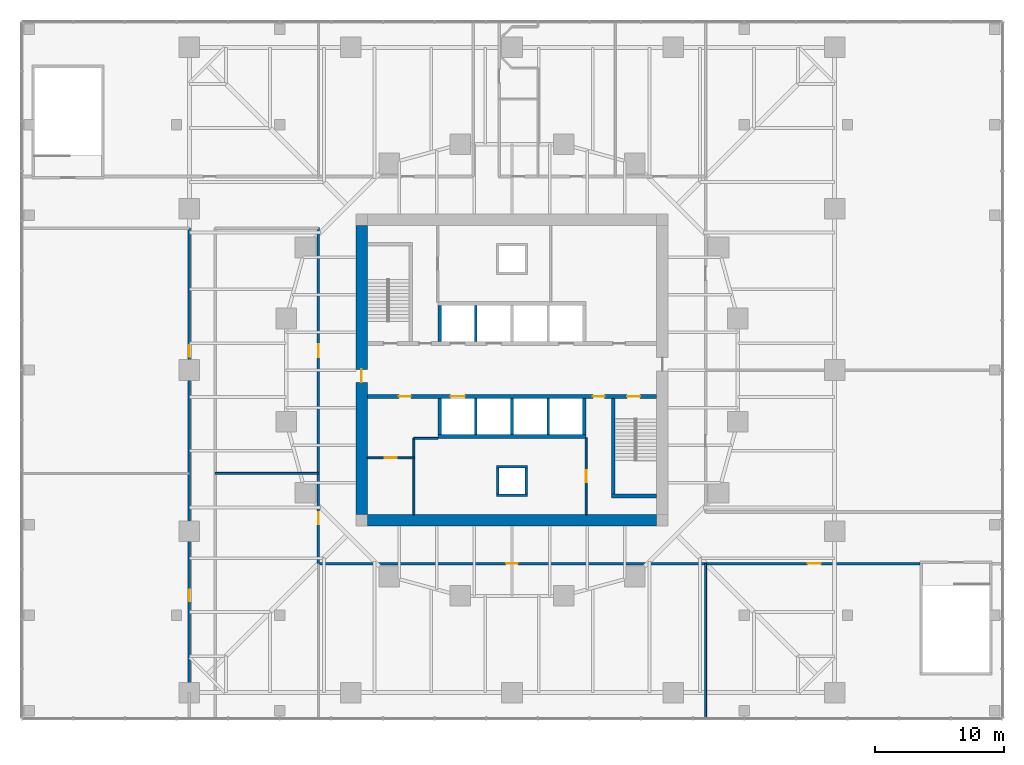
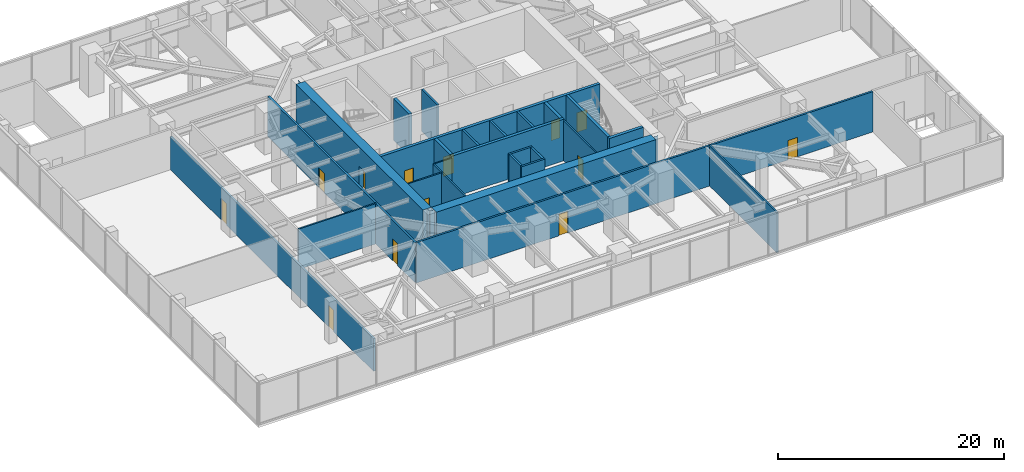
# One storey, part 11 of 14: 26 walls, 13 doors, 13 openings.
"""IFC4 building model written with IfcOpenShell, lengths in metres."""

from ifc_helpers import new_model, si_unit, direction, frame, frame_2d, origin, place, context, subcontext, project, spatial, polyline, rectangle, outline, extrude, material, layer, layer_set, type_object, element, fill, save


model = new_model("IFC4")

# Units and contexts
model_context = context("Model", 3, precision=1e-05, world=origin(), true_north=direction((0.0, 1.0)))
body_context = subcontext(model_context, "Body", "Model", "MODEL_VIEW")
ifc_project = project(units=[si_unit("LENGTHUNIT", "METRE"), si_unit("AREAUNIT", "SQUARE_METRE"), si_unit("VOLUMEUNIT", "CUBIC_METRE"), si_unit("PLANEANGLEUNIT", "RADIAN"), si_unit("MASSUNIT", "GRAM", prefix="KILO")], contexts=[model_context])

# Site, building, storey
site_placement = place(None, origin())
site = spatial("IfcSite", under=ifc_project, at=site_placement, CompositionType="ELEMENT")
building_placement = place(site_placement, origin())
building = spatial("IfcBuilding", under=site, at=building_placement, Name="Torsade Residences", CompositionType="ELEMENT")
storey_placement = place(building_placement, frame((0.0, 0.0, 10.5)))
storey = spatial("IfcBuildingStorey", under=building, at=storey_placement, Name="L02", CompositionType="ELEMENT", Elevation=10.5)

# Wall, openings, doors
ifc_material_1 = material(Name="Concrete 80 MPa", Category="concrete")
ifc_layer_1 = layer(ifc_material_1, 0.300048828125)
ifc_layer_set_1 = layer_set([ifc_layer_1], Name="Concrete 80 MPa")
wall_type_1 = type_object("IfcWallType", Name="CORE INTERNAL WALL 300", PredefinedType="SHEAR", material=ifc_layer_set_1)
wall_1_placement = place(storey_placement, frame((51.199951171875, 27.949951171875, 0.0), z_axis=(0.0, 0.0, 1.0), x_axis=(-1.0, 0.0, 0.0)))
wall_1 = element("IfcWall", 1, at=wall_1_placement, inside=storey, type_object=wall_type_1, Name="Core wall LS L02", PredefinedType="SHEAR", context=body_context, shape_type="SweptSolid", body=[
    extrude(rectangle(XDim=22.39990234375, YDim=0.300048828125, at=frame_2d((11.199951171875, 0.0))), origin(), (0.0, 0.0, 1.0), 4.5),
])
opening_1_placement = place(wall_1_placement, frame((19.0400390625, 0.0, 0.0)))
opening_1 = element("IfcOpeningElement", 2, at=opening_1_placement, cuts=wall_1, Name="Opening D06", PredefinedType="OPENING", context=body_context, shape_type="SweptSolid", body=[
    extrude(rectangle(XDim=0.919921875, YDim=2.10009765625, at=frame_2d((0.4599609375, 1.050048828125))), frame((0.0, 0.159912109375, 0.0), z_axis=(0.0, -1.0, 0.0), x_axis=(1.0, 0.0, 0.0)), (0.0, 0.0, 1.0), 0.320068359375),
])
opening_2_placement = place(wall_1_placement, frame((1.264892578125, 0.0, 0.0)))
opening_2 = element("IfcOpeningElement", 3, at=opening_2_placement, cuts=wall_1, Name="Opening D03", PredefinedType="OPENING", context=body_context, shape_type="SweptSolid", body=[
    extrude(rectangle(XDim=1.02001953125, YDim=2.10009765625, at=frame_2d((0.510009765625, 1.050048828125))), frame((0.0, 0.159912109375, 0.0), z_axis=(0.0, -1.0, 0.0), x_axis=(1.0, 0.0, 0.0)), (0.0, 0.0, 1.0), 0.320068359375),
])
opening_3_placement = place(wall_1_placement, frame((4.014892578125, 0.0, 0.0)))
opening_3 = element("IfcOpeningElement", 4, at=opening_3_placement, cuts=wall_1, Name="Opening D06", PredefinedType="OPENING", context=body_context, shape_type="SweptSolid", body=[
    extrude(rectangle(XDim=0.919921875, YDim=2.10009765625, at=frame_2d((0.4599609375, 1.050048828125))), frame((0.0, 0.159912109375, 0.0), z_axis=(0.0, -1.0, 0.0), x_axis=(1.0, 0.0, 0.0)), (0.0, 0.0, 1.0), 0.320068359375),
])
opening_4_placement = place(wall_1_placement, frame((14.85009765625, 0.0, 0.0)))
opening_4 = element("IfcOpeningElement", 5, at=opening_4_placement, cuts=wall_1, Name="Opening LD", PredefinedType="OPENING", context=body_context, shape_type="SweptSolid", body=[
    extrude(rectangle(XDim=1.10009765625, YDim=2.10009765625, at=frame_2d((0.550048828125, 1.050048828125))), frame((0.0, 0.159912109375, 0.0), z_axis=(0.0, -1.0, 0.0), x_axis=(1.0, 0.0, 0.0)), (0.0, 0.0, 1.0), 0.320068359375),
])
ifc_material_2 = material(Name="Steel-framed fire door", Category="steel")
door_type_1 = type_object("IfcDoorType", Name="FIRE DOOR 1020", OperationType="NOTDEFINED", PredefinedType="DOOR", material=ifc_material_2)
door_1_placement = place(opening_2_placement, origin())
door_1 = element("IfcDoor", 6, at=door_1_placement, inside=storey, type_object=door_type_1, Name="Exit door to fire-isolated stair ST2 L02", OperationType="SINGLE_SWING_RIGHT", OverallHeight=2.10009765625, OverallWidth=1.02001953125, PredefinedType="DOOR", context=body_context, shape_type="SweptSolid", body=[
    extrude(rectangle(XDim=1.02001953125, YDim=2.10009765625, at=frame_2d((0.510009765625, 1.050048828125))), frame((0.0, 0.02490234375, 0.0), z_axis=(0.0, -1.0, 0.0), x_axis=(1.0, 0.0, 0.0)), (0.0, 0.0, 1.0), 0.050048828125),
])
fill(opening_2, door_1)
ifc_material_3 = material(Name="Steel-framed fire door", Category="steel")
door_type_2 = type_object("IfcDoorType", Name="FIRE DOOR 920", OperationType="NOTDEFINED", PredefinedType="DOOR", material=ifc_material_3)
door_2_placement = place(opening_1_placement, origin())
door_2 = element("IfcDoor", 7, at=door_2_placement, inside=storey, type_object=door_type_2, Name="Door Lift lobby to Cleaner store", OperationType="SINGLE_SWING_LEFT", OverallHeight=2.10009765625, OverallWidth=0.919921875, PredefinedType="DOOR", context=body_context, shape_type="SweptSolid", body=[
    extrude(rectangle(XDim=0.919921875, YDim=2.10009765625, at=frame_2d((0.4599609375, 1.050048828125))), frame((0.0, 0.02490234375, 0.0), z_axis=(0.0, -1.0, 0.0), x_axis=(1.0, 0.0, 0.0)), (0.0, 0.0, 1.0), 0.050048828125),
])
fill(opening_1, door_2)
door_3_placement = place(opening_3_placement, origin())
door_3 = element("IfcDoor", 8, at=door_3_placement, inside=storey, type_object=door_type_2, Name="Door Lift lobby to Security and data store", OperationType="SINGLE_SWING_RIGHT", OverallHeight=2.10009765625, OverallWidth=0.919921875, PredefinedType="DOOR", context=body_context, shape_type="SweptSolid", body=[
    extrude(rectangle(XDim=0.919921875, YDim=2.10009765625, at=frame_2d((0.4599609375, 1.050048828125))), frame((0.0, 0.02490234375, 0.0), z_axis=(0.0, -1.0, 0.0), x_axis=(1.0, 0.0, 0.0)), (0.0, 0.0, 1.0), 0.050048828125),
])
fill(opening_3, door_3)
ifc_material_4 = material(Name="Stainless steel lift landing door", Category="steel")
door_type_3 = type_object("IfcDoorType", Name="LIFT LANDING DOOR 1100", OperationType="SLIDING_TO_LEFT", PredefinedType="DOOR", material=ifc_material_4)
door_4_placement = place(opening_4_placement, origin())
door_4 = element("IfcDoor", 9, at=door_4_placement, inside=storey, type_object=door_type_3, Name="Lift FL2 landing door L02", OperationType="SLIDING_TO_LEFT", OverallHeight=2.10009765625, OverallWidth=1.10009765625, PredefinedType="DOOR", context=body_context, shape_type="SweptSolid", body=[
    extrude(rectangle(XDim=1.10009765625, YDim=2.10009765625, at=frame_2d((0.550048828125, 1.050048828125))), frame((0.0, 0.02490234375, 0.0), z_axis=(0.0, -1.0, 0.0), x_axis=(1.0, 0.0, 0.0)), (0.0, 0.0, 1.0), 0.050048828125),
])
fill(opening_4, door_4)

# Walls
wall_2_placement = place(storey_placement, frame((45.75, 24.85009765625, 0.0), z_axis=(0.0, 0.0, 1.0), x_axis=(-1.0, 0.0, 0.0)))
element("IfcWall", 10, at=wall_2_placement, inside=storey, type_object=wall_type_1, Name="Core wall BS L02", PredefinedType="SHEAR", context=body_context, shape_type="SweptSolid", body=[
    extrude(rectangle(XDim=11.5, YDim=0.300048828125, at=frame_2d((5.75, 0.0))), origin(), (0.0, 0.0, 1.0), 4.5),
])
for number, where, z_axis, x_axis, name in (
    (11, (34.39990234375, 32.199951171875, 0.0), (0.0, 0.0, 1.0), (0.0, 1.0, 0.0), "Core wall DN0 L02"),
    (12, (45.60009765625, 27.800048828125, 0.0), (0.0, 0.0, 1.0), (0.0, -1.0, 0.0), "Core wall DS0 L02"),
    (13, (34.39990234375, 27.800048828125, 0.0), (0.0, 0.0, 1.0), (0.0, -1.0, 0.0), "Core wall DS4 L02"),
):
    element("IfcWall", number, at=place(storey_placement, frame(where, z_axis=z_axis, x_axis=x_axis)), inside=storey, type_object=wall_type_1, Name=name, PredefinedType="SHEAR", context=body_context, shape_type="SweptSolid", body=[
        extrude(rectangle(XDim=2.800048828125, YDim=0.300048828125, at=frame_2d((1.39990234375, 0.0))), origin(), (0.0, 0.0, 1.0), 4.5),
    ])
wall_3_placement = place(storey_placement, frame((47.85009765625, 27.800048828125, 0.0), z_axis=(0.0, 0.0, 1.0), x_axis=(0.0, -1.0, 0.0)))
element("IfcWall", 14, at=wall_3_placement, inside=storey, type_object=wall_type_1, Name="Core wall ST2W L02", PredefinedType="SHEAR", context=body_context, shape_type="SweptSolid", body=[
    extrude(rectangle(XDim=7.699951171875, YDim=0.300048828125, at=frame_2d((3.85009765625, 0.0))), origin(), (0.0, 0.0, 1.0), 4.5),
])
wall_4_placement = place(storey_placement, frame((51.199951171875, 20.25, 0.0), z_axis=(0.0, 0.0, 1.0), x_axis=(-1.0, 0.0, 0.0)))
element("IfcWall", 15, at=wall_4_placement, inside=storey, type_object=wall_type_1, Name="Core wall ST2S L02", PredefinedType="SHEAR", context=body_context, shape_type="SweptSolid", body=[
    extrude(rectangle(XDim=3.5, YDim=0.300048828125, at=frame_2d((1.75, 0.0))), origin(), (0.0, 0.0, 1.0), 4.5),
])
ifc_material_5 = material(Name="Concrete 80 MPa", Category="concrete")
ifc_layer_2 = layer(ifc_material_5, 0.89990234375)
ifc_layer_set_2 = layer_set([ifc_layer_2], Name="Concrete 80 MPa")
wall_type_2 = type_object("IfcWallType", Name="CORE WALL 900", PredefinedType="SHEAR", material=ifc_layer_set_2)
wall_5_placement = place(storey_placement, frame((51.199951171875, 18.35009765625, 0.0), z_axis=(0.0, 0.0, 1.0), x_axis=(-1.0, 0.0, 0.0)))
element("IfcWall", 16, at=wall_5_placement, inside=storey, type_object=wall_type_2, Name="Core wall S L02", PredefinedType="SHEAR", context=body_context, shape_type="SweptSolid", body=[
    extrude(outline(polyline([(0.0, -0.449951171875), (22.39990234375, -0.449951171875), (22.39990234375, -0.02490234375), (22.849853515625, -0.02490234375), (22.849853515625, 0.02490234375), (22.39990234375, 0.02490234375), (22.39990234375, 0.449951171875), (0.0, 0.449951171875), (0.0, 0.02490234375), (-0.449951171875, 0.02490234375), (-0.449951171875, -0.02490234375), (0.0, -0.02490234375), (0.0, -0.449951171875)])), origin(), (0.0, 0.0, 1.0), 4.5),
])

# Wall, opening, door
wall_6_placement = place(storey_placement, frame((28.35009765625, 41.199951171875, 0.0), z_axis=(0.0, 0.0, 1.0), x_axis=(0.0, -1.0, 0.0)))
wall_6 = element("IfcWall", 17, at=wall_6_placement, inside=storey, type_object=wall_type_2, Name="Core wall W L02", PredefinedType="SHEAR", context=body_context, shape_type="SweptSolid", body=[
    extrude(outline(polyline([(0.0, -0.449951171875), (22.39990234375, -0.449951171875), (22.39990234375, -0.02490234375), (22.849853515625, -0.02490234375), (22.849853515625, 0.02490234375), (22.39990234375, 0.02490234375), (22.39990234375, 0.449951171875), (0.0, 0.449951171875), (0.0, 0.02490234375), (-0.449951171875, 0.02490234375), (-0.449951171875, -0.02490234375), (0.0, -0.02490234375), (0.0, -0.449951171875)])), origin(), (0.0, 0.0, 1.0), 4.5),
])
opening_5_placement = place(wall_6_placement, frame((11.139892578125, 0.0, 0.0)))
opening_5 = element("IfcOpeningElement", 18, at=opening_5_placement, cuts=wall_6, Name="Opening D04", PredefinedType="OPENING", context=body_context, shape_type="SweptSolid", body=[
    extrude(rectangle(XDim=1.02001953125, YDim=2.39990234375, at=frame_2d((0.510009765625, 1.199951171875))), frame((0.0, 0.4599609375, 0.0), z_axis=(0.0, -1.0, 0.0), x_axis=(1.0, 0.0, 0.0)), (0.0, 0.0, 1.0), 0.919921875),
])
ifc_material_6 = material(Name="Steel-framed fire door", Category="steel")
door_type_4 = type_object("IfcDoorType", Name="LOBBY SMOKE DOOR 1020x2400", OperationType="NOTDEFINED", PredefinedType="DOOR", material=ifc_material_6)
door_5_placement = place(opening_5_placement, origin())
door_5 = element("IfcDoor", 19, at=door_5_placement, inside=storey, type_object=door_type_4, Name="Lift lobby door W L02", OperationType="SINGLE_SWING_RIGHT", OverallHeight=2.39990234375, OverallWidth=1.02001953125, PredefinedType="DOOR", context=body_context, shape_type="SweptSolid", body=[
    extrude(rectangle(XDim=1.02001953125, YDim=2.39990234375, at=frame_2d((0.510009765625, 1.199951171875))), frame((0.0, 0.02490234375, 0.0), z_axis=(0.0, -1.0, 0.0), x_axis=(1.0, 0.0, 0.0)), (0.0, 0.0, 1.0), 0.050048828125),
])
fill(opening_5, door_5)

# Wall, openings, doors
ifc_material_7 = material(Name="Plasterboard on steel stud", Category="steel")
ifc_layer_3 = layer(ifc_material_7, 0.199951171875)
ifc_layer_set_3 = layer_set([ifc_layer_3], Name="Plasterboard on steel stud")
wall_type_3 = type_object("IfcWallType", Name="CORRIDOR WALL 200", PredefinedType="PARTITIONING", material=ifc_layer_set_3)
wall_7_placement = place(storey_placement, frame((25.0, 15.0, 0.0), z_axis=(0.0, 0.0, 1.0), x_axis=(0.0, 1.0, 0.0)))
wall_7 = element("IfcWall", 20, at=wall_7_placement, inside=storey, type_object=wall_type_3, Name="Corridor wall L02", PredefinedType="PARTITIONING", context=body_context, shape_type="SweptSolid", body=[
    extrude(rectangle(XDim=26.050048828125, YDim=0.199951171875, at=frame_2d((13.02490234375, 0.0))), origin(), (0.0, 0.0, 1.0), 4.35009765625),
])
opening_6_placement = place(wall_7_placement, frame((15.989990234375, 0.0, 0.0)))
opening_6 = element("IfcOpeningElement", 21, at=opening_6_placement, cuts=wall_7, Name="Opening D03", PredefinedType="OPENING", context=body_context, shape_type="SweptSolid", body=[
    extrude(rectangle(XDim=1.02001953125, YDim=2.10009765625, at=frame_2d((0.510009765625, 1.050048828125))), frame((0.0, 0.10986328125, 0.0), z_axis=(0.0, -1.0, 0.0), x_axis=(1.0, 0.0, 0.0)), (0.0, 0.0, 1.0), 0.219970703125),
])
opening_7_placement = place(wall_7_placement, frame((3.06494140625, 0.0, 0.0)))
opening_7 = element("IfcOpeningElement", 22, at=opening_7_placement, cuts=wall_7, Name="Opening D02", PredefinedType="OPENING", context=body_context, shape_type="SweptSolid", body=[
    extrude(rectangle(XDim=0.919921875, YDim=2.340087890625, at=frame_2d((0.4599609375, 1.169921875))), frame((0.0, 0.10986328125, 0.0), z_axis=(0.0, -1.0, 0.0), x_axis=(1.0, 0.0, 0.0)), (0.0, 0.0, 1.0), 0.219970703125),
])
door_6_placement = place(opening_6_placement, origin())
door_6 = element("IfcDoor", 23, at=door_6_placement, inside=storey, type_object=door_type_1, Name="Door Amenity corridor to Residents storage", OperationType="SINGLE_SWING_RIGHT", OverallHeight=2.10009765625, OverallWidth=1.02001953125, PredefinedType="DOOR", context=body_context, shape_type="SweptSolid", body=[
    extrude(rectangle(XDim=1.02001953125, YDim=2.10009765625, at=frame_2d((0.510009765625, 1.050048828125))), frame((0.0, 0.02490234375, 0.0), z_axis=(0.0, -1.0, 0.0), x_axis=(1.0, 0.0, 0.0)), (0.0, 0.0, 1.0), 0.050048828125),
])
fill(opening_6, door_6)
ifc_material_8 = material(Name="Hollow-core timber door", Category="wood")
door_type_5 = type_object("IfcDoorType", Name="INTERNAL DOOR 920x2340", OperationType="NOTDEFINED", PredefinedType="DOOR", material=ifc_material_8)
door_7_placement = place(opening_7_placement, origin())
door_7 = element("IfcDoor", 24, at=door_7_placement, inside=storey, type_object=door_type_5, Name="Door Amenity corridor to Residents library", OperationType="SINGLE_SWING_RIGHT", OverallHeight=2.340087890625, OverallWidth=0.919921875, PredefinedType="DOOR", context=body_context, shape_type="SweptSolid", body=[
    extrude(rectangle(XDim=0.919921875, YDim=2.340087890625, at=frame_2d((0.4599609375, 1.169921875))), frame((0.0, 0.02490234375, 0.0), z_axis=(0.0, -1.0, 0.0), x_axis=(1.0, 0.0, 0.0)), (0.0, 0.0, 1.0), 0.050048828125),
])
fill(opening_7, door_7)

wall_8_placement = place(storey_placement, frame((71.60009765625, 15.0, 0.0), z_axis=(0.0, 0.0, 1.0), x_axis=(-1.0, 0.0, 0.0)))
wall_8 = element("IfcWall", 25, at=wall_8_placement, inside=storey, type_object=wall_type_3, Name="Corridor wall L02", PredefinedType="PARTITIONING", context=body_context, shape_type="SweptSolid", body=[
    extrude(rectangle(XDim=46.60009765625, YDim=0.199951171875, at=frame_2d((23.300048828125, 0.0))), origin(), (0.0, 0.0, 1.0), 4.35009765625),
])
opening_8_placement = place(wall_8_placement, frame((31.139892578125, 0.0, 0.0)))
opening_8 = element("IfcOpeningElement", 26, at=opening_8_placement, cuts=wall_8, Name="Opening D02", PredefinedType="OPENING", context=body_context, shape_type="SweptSolid", body=[
    extrude(rectangle(XDim=0.919921875, YDim=2.340087890625, at=frame_2d((0.4599609375, 1.169921875))), frame((0.0, 0.10986328125, 0.0), z_axis=(0.0, -1.0, 0.0), x_axis=(1.0, 0.0, 0.0)), (0.0, 0.0, 1.0), 0.219970703125),
])
opening_9_placement = place(wall_8_placement, frame((7.6650390625, 0.0, 0.0)))
opening_9 = element("IfcOpeningElement", 27, at=opening_9_placement, cuts=wall_8, Name="Opening D03", PredefinedType="OPENING", context=body_context, shape_type="SweptSolid", body=[
    extrude(rectangle(XDim=1.02001953125, YDim=2.10009765625, at=frame_2d((0.510009765625, 1.050048828125))), frame((0.0, 0.10986328125, 0.0), z_axis=(0.0, -1.0, 0.0), x_axis=(1.0, 0.0, 0.0)), (0.0, 0.0, 1.0), 0.219970703125),
])
door_8_placement = place(opening_9_placement, origin())
door_8 = element("IfcDoor", 28, at=door_8_placement, inside=storey, type_object=door_type_1, Name="Door Amenity corridor east to Podium plant room", OperationType="SINGLE_SWING_RIGHT", OverallHeight=2.10009765625, OverallWidth=1.02001953125, PredefinedType="DOOR", context=body_context, shape_type="SweptSolid", body=[
    extrude(rectangle(XDim=1.02001953125, YDim=2.10009765625, at=frame_2d((0.510009765625, 1.050048828125))), frame((0.0, 0.02490234375, 0.0), z_axis=(0.0, -1.0, 0.0), x_axis=(1.0, 0.0, 0.0)), (0.0, 0.0, 1.0), 0.050048828125),
])
fill(opening_9, door_8)
door_9_placement = place(opening_8_placement, origin())
door_9 = element("IfcDoor", 29, at=door_9_placement, inside=storey, type_object=door_type_5, Name="Door Amenity corridor to Co-working room", OperationType="SINGLE_SWING_LEFT", OverallHeight=2.340087890625, OverallWidth=0.919921875, PredefinedType="DOOR", context=body_context, shape_type="SweptSolid", body=[
    extrude(rectangle(XDim=0.919921875, YDim=2.340087890625, at=frame_2d((0.4599609375, 1.169921875))), frame((0.0, 0.02490234375, 0.0), z_axis=(0.0, -1.0, 0.0), x_axis=(1.0, 0.0, 0.0)), (0.0, 0.0, 1.0), 0.050048828125),
])
fill(opening_8, door_9)

wall_9_placement = place(storey_placement, frame((15.0, 5.0, 0.0), z_axis=(0.0, 0.0, 1.0), x_axis=(0.0, 1.0, 0.0)))
wall_9 = element("IfcWall", 30, at=wall_9_placement, inside=storey, type_object=wall_type_3, Name="Corridor wall L02", PredefinedType="PARTITIONING", context=body_context, shape_type="SweptSolid", body=[
    extrude(rectangle(XDim=36.0, YDim=0.199951171875, at=frame_2d((18.0, 0.0))), origin(), (0.0, 0.0, 1.0), 3.533935546875),
])
opening_10_placement = place(wall_9_placement, frame((7.06494140625, 0.0, 0.0)))
opening_10 = element("IfcOpeningElement", 31, at=opening_10_placement, cuts=wall_9, Name="Opening D02", PredefinedType="OPENING", context=body_context, shape_type="SweptSolid", body=[
    extrude(rectangle(XDim=0.919921875, YDim=2.340087890625, at=frame_2d((0.4599609375, 1.169921875))), frame((0.0, 0.10986328125, 0.0), z_axis=(0.0, -1.0, 0.0), x_axis=(1.0, 0.0, 0.0)), (0.0, 0.0, 1.0), 0.219970703125),
])
opening_11_placement = place(wall_9_placement, frame((26.014892578125, 0.0, 0.0)))
opening_11 = element("IfcOpeningElement", 32, at=opening_11_placement, cuts=wall_9, Name="Opening D02", PredefinedType="OPENING", context=body_context, shape_type="SweptSolid", body=[
    extrude(rectangle(XDim=0.919921875, YDim=2.340087890625, at=frame_2d((0.4599609375, 1.169921875))), frame((0.0, 0.10986328125, 0.0), z_axis=(0.0, -1.0, 0.0), x_axis=(1.0, 0.0, 0.0)), (0.0, 0.0, 1.0), 0.219970703125),
])
door_10_placement = place(opening_10_placement, origin())
door_10 = element("IfcDoor", 33, at=door_10_placement, inside=storey, type_object=door_type_5, Name="Door Amenity corridor west to Function room", OperationType="SINGLE_SWING_RIGHT", OverallHeight=2.340087890625, OverallWidth=0.919921875, PredefinedType="DOOR", context=body_context, shape_type="SweptSolid", body=[
    extrude(rectangle(XDim=0.919921875, YDim=2.340087890625, at=frame_2d((0.4599609375, 1.169921875))), frame((0.0, 0.02490234375, 0.0), z_axis=(0.0, -1.0, 0.0), x_axis=(1.0, 0.0, 0.0)), (0.0, 0.0, 1.0), 0.050048828125),
])
fill(opening_10, door_10)
door_11_placement = place(opening_11_placement, origin())
door_11 = element("IfcDoor", 34, at=door_11_placement, inside=storey, type_object=door_type_5, Name="Door Amenity corridor west to Residents lounge", OperationType="SINGLE_SWING_LEFT", OverallHeight=2.340087890625, OverallWidth=0.919921875, PredefinedType="DOOR", context=body_context, shape_type="SweptSolid", body=[
    extrude(rectangle(XDim=0.919921875, YDim=2.340087890625, at=frame_2d((0.4599609375, 1.169921875))), frame((0.0, 0.02490234375, 0.0), z_axis=(0.0, -1.0, 0.0), x_axis=(1.0, 0.0, 0.0)), (0.0, 0.0, 1.0), 0.050048828125),
])
fill(opening_11, door_11)

# Walls
ifc_material_9 = material(Name="Reinforced blockwork", Category="masonry")
ifc_layer_4 = layer(ifc_material_9, 0.199951171875)
ifc_layer_set_4 = layer_set([ifc_layer_4], Name="Reinforced blockwork")
wall_type_4 = type_object("IfcWallType", Name="LIFT SHAFT DIVIDING WALL 200", PredefinedType="SOLIDWALL", material=ifc_layer_set_4)
for number, where, z_axis, x_axis, name in (
    (35, (37.199951171875, 32.199951171875, 0.0), (0.0, 0.0, 1.0), (0.0, 1.0, 0.0), "Core wall DN1 L02"),
    (36, (42.800048828125, 27.800048828125, 0.0), (0.0, 0.0, 1.0), (0.0, -1.0, 0.0), "Core wall DS1 L02"),
    (37, (40.0, 27.800048828125, 0.0), (0.0, 0.0, 1.0), (0.0, -1.0, 0.0), "Core wall DS2 L02"),
    (38, (37.199951171875, 27.800048828125, 0.0), (0.0, 0.0, 1.0), (0.0, -1.0, 0.0), "Core wall DS3 L02"),
):
    element("IfcWall", number, at=place(storey_placement, frame(where, z_axis=z_axis, x_axis=x_axis)), inside=storey, type_object=wall_type_4, Name=name, PredefinedType="SOLIDWALL", context=body_context, shape_type="SweptSolid", body=[
        extrude(rectangle(XDim=2.800048828125, YDim=0.199951171875, at=frame_2d((1.39990234375, 0.0))), origin(), (0.0, 0.0, 1.0), 4.5),
    ])
ifc_material_10 = material(Name="Reinforced blockwork", Category="masonry")
ifc_layer_5 = layer(ifc_material_10, 0.199951171875)
ifc_layer_set_5 = layer_set([ifc_layer_5], Name="Reinforced blockwork")
wall_type_5 = type_object("IfcWallType", Name="RISER SHAFT WALL 200", PredefinedType="SOLIDWALL", material=ifc_layer_set_5)
for number, where, z_axis, x_axis, name in (
    (39, (38.89990234375, 22.39990234375, 0.0), (0.0, 0.0, 1.0), (0.0, -1.0, 0.0), "Core wall RS2a L02"),
    (40, (41.10009765625, 22.39990234375, 0.0), (0.0, 0.0, 1.0), (0.0, -1.0, 0.0), "Core wall RS2b L02"),
):
    element("IfcWall", number, at=place(storey_placement, frame(where, z_axis=z_axis, x_axis=x_axis)), inside=storey, type_object=wall_type_5, Name=name, PredefinedType="SOLIDWALL", context=body_context, shape_type="SweptSolid", body=[
        extrude(rectangle(XDim=2.0, YDim=0.199951171875, at=frame_2d((1.0, 0.0))), origin(), (0.0, 0.0, 1.0), 4.5),
    ])
for number, where, z_axis, x_axis, name in (
    (41, (38.800048828125, 22.5, 0.0), (0.0, 0.0, 1.0), (1.0, 0.0, 0.0), "Core wall RS2c L02"),
    (42, (38.800048828125, 20.300048828125, 0.0), (0.0, 0.0, 1.0), (1.0, 0.0, 0.0), "Core wall RS2d L02"),
):
    element("IfcWall", number, at=place(storey_placement, frame(where, z_axis=z_axis, x_axis=x_axis)), inside=storey, type_object=wall_type_5, Name=name, PredefinedType="SOLIDWALL", context=body_context, shape_type="SweptSolid", body=[
        extrude(rectangle(XDim=2.39990234375, YDim=0.199951171875, at=frame_2d((1.199951171875, 0.0))), origin(), (0.0, 0.0, 1.0), 4.5),
    ])

# Wall, opening, door
ifc_material_11 = material(Name="Reinforced blockwork", Category="masonry")
ifc_layer_6 = layer(ifc_material_11, 0.14990234375)
ifc_layer_set_6 = layer_set([ifc_layer_6], Name="Reinforced blockwork")
wall_type_6 = type_object("IfcWallType", Name="SERVICE ROOM WALL 150", PredefinedType="SOLIDWALL", material=ifc_layer_set_6)
wall_10_placement = place(storey_placement, frame((45.75, 18.800048828125, 0.0), z_axis=(0.0, 0.0, 1.0), x_axis=(0.0, 1.0, 0.0)))
wall_10 = element("IfcWall", 43, at=wall_10_placement, inside=storey, type_object=wall_type_6, Name="Service room wall L02", PredefinedType="SOLIDWALL", context=body_context, shape_type="SweptSolid", body=[
    extrude(rectangle(XDim=5.949951171875, YDim=0.14990234375, at=frame_2d((2.97509765625, 0.0))), origin(), (0.0, 0.0, 1.0), 4.35009765625),
])
opening_12_placement = place(wall_10_placement, frame((2.514892578125, 0.0, 0.0)))
opening_12 = element("IfcOpeningElement", 44, at=opening_12_placement, cuts=wall_10, Name="Opening D06", PredefinedType="OPENING", context=body_context, shape_type="SweptSolid", body=[
    extrude(rectangle(XDim=0.919921875, YDim=2.10009765625, at=frame_2d((0.4599609375, 1.050048828125))), frame((0.0, 0.0849609375, 0.0), z_axis=(0.0, -1.0, 0.0), x_axis=(1.0, 0.0, 0.0)), (0.0, 0.0, 1.0), 0.169921875),
])
door_12_placement = place(opening_12_placement, origin())
door_12 = element("IfcDoor", 45, at=door_12_placement, inside=storey, type_object=door_type_2, Name="Door Security and data store to Communications riser room", OperationType="SINGLE_SWING_LEFT", OverallHeight=2.10009765625, OverallWidth=0.919921875, PredefinedType="DOOR", context=body_context, shape_type="SweptSolid", body=[
    extrude(rectangle(XDim=0.919921875, YDim=2.10009765625, at=frame_2d((0.4599609375, 1.050048828125))), frame((0.0, 0.02490234375, 0.0), z_axis=(0.0, -1.0, 0.0), x_axis=(1.0, 0.0, 0.0)), (0.0, 0.0, 1.0), 0.050048828125),
])
fill(opening_12, door_12)

# Walls
wall_11_placement = place(storey_placement, frame((32.39990234375, 18.800048828125, 0.0), z_axis=(0.0, 0.0, 1.0), x_axis=(0.0, 1.0, 0.0)))
element("IfcWall", 46, at=wall_11_placement, inside=storey, type_object=wall_type_6, Name="Service room wall L02", PredefinedType="SOLIDWALL", context=body_context, shape_type="SweptSolid", body=[
    extrude(rectangle(XDim=5.89990234375, YDim=0.14990234375, at=frame_2d((2.949951171875, 0.0))), origin(), (0.0, 0.0, 1.0), 4.35009765625),
])
wall_12_placement = place(storey_placement, frame((32.39990234375, 24.699951171875, 0.0), z_axis=(0.0, 0.0, 1.0), x_axis=(1.0, 0.0, 0.0)))
element("IfcWall", 47, at=wall_12_placement, inside=storey, type_object=wall_type_6, Name="Service room wall L02", PredefinedType="SOLIDWALL", context=body_context, shape_type="SweptSolid", body=[
    extrude(rectangle(XDim=1.85009765625, YDim=0.14990234375, at=frame_2d((0.925048828125, 0.0))), origin(), (0.0, 0.0, 1.0), 4.35009765625),
])

# Wall, opening, door
wall_13_placement = place(storey_placement, frame((32.39990234375, 23.199951171875, 0.0), z_axis=(0.0, 0.0, 1.0), x_axis=(-1.0, 0.0, 0.0)))
wall_13 = element("IfcWall", 48, at=wall_13_placement, inside=storey, type_object=wall_type_6, Name="Service room wall L02", PredefinedType="SOLIDWALL", context=body_context, shape_type="SweptSolid", body=[
    extrude(rectangle(XDim=3.599853515625, YDim=0.14990234375, at=frame_2d((1.7998046875, 0.0))), origin(), (0.0, 0.0, 1.0), 4.35009765625),
])
opening_13_placement = place(wall_13_placement, frame((1.340087890625, 0.0, 0.0)))
opening_13 = element("IfcOpeningElement", 49, at=opening_13_placement, cuts=wall_13, Name="Opening D06", PredefinedType="OPENING", context=body_context, shape_type="SweptSolid", body=[
    extrude(rectangle(XDim=0.919921875, YDim=2.10009765625, at=frame_2d((0.4599609375, 1.050048828125))), frame((0.0, 0.0849609375, 0.0), z_axis=(0.0, -1.0, 0.0), x_axis=(1.0, 0.0, 0.0)), (0.0, 0.0, 1.0), 0.169921875),
])
door_13_placement = place(opening_13_placement, origin())
door_13 = element("IfcDoor", 50, at=door_13_placement, inside=storey, type_object=door_type_2, Name="Door Cleaner store to Sprinkler valve room", OperationType="SINGLE_SWING_LEFT", OverallHeight=2.10009765625, OverallWidth=0.919921875, PredefinedType="DOOR", context=body_context, shape_type="SweptSolid", body=[
    extrude(rectangle(XDim=0.919921875, YDim=2.10009765625, at=frame_2d((0.4599609375, 1.050048828125))), frame((0.0, 0.02490234375, 0.0), z_axis=(0.0, -1.0, 0.0), x_axis=(1.0, 0.0, 0.0)), (0.0, 0.0, 1.0), 0.050048828125),
])
fill(opening_13, door_13)

# Walls
wall_14_placement = place(storey_placement, frame((17.0, 22.0, 0.0), z_axis=(0.0, 0.0, 1.0), x_axis=(1.0, 0.0, 0.0)))
element("IfcWall", 51, at=wall_14_placement, inside=storey, type_object=wall_type_6, Name="Service room wall L02", PredefinedType="SOLIDWALL", context=body_context, shape_type="SweptSolid", body=[
    extrude(rectangle(XDim=8.0, YDim=0.14990234375, at=frame_2d((4.0, 0.0))), origin(), (0.0, 0.0, 1.0), 4.35009765625),
])
wall_15_placement = place(storey_placement, frame((55.0, 15.0, 0.0), z_axis=(0.0, 0.0, 1.0), x_axis=(0.0, -1.0, 0.0)))
element("IfcWall", 52, at=wall_15_placement, inside=storey, type_object=wall_type_6, Name="Service room wall L02", PredefinedType="SOLIDWALL", context=body_context, shape_type="SweptSolid", body=[
    extrude(rectangle(XDim=12.0, YDim=0.14990234375, at=frame_2d((6.0, 0.0))), origin(), (0.0, 0.0, 1.0), 4.35009765625),
])

save(model, "model.ifc")
